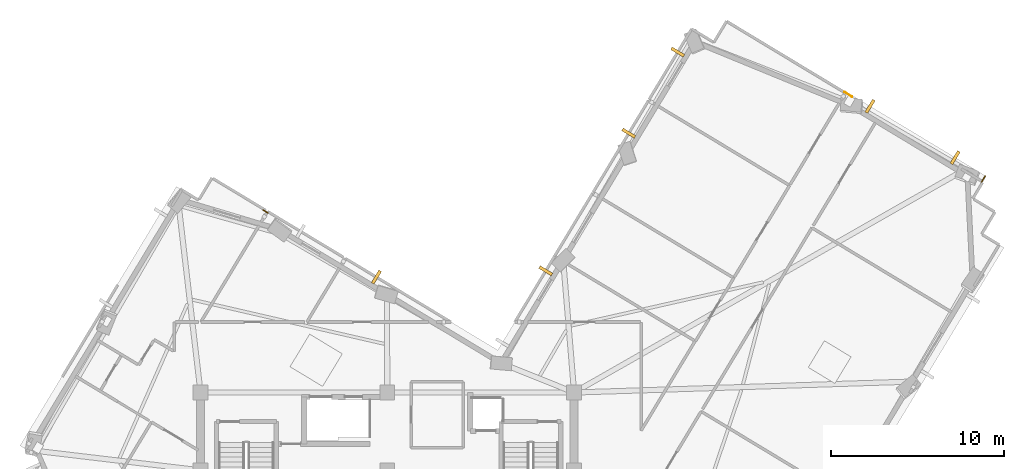
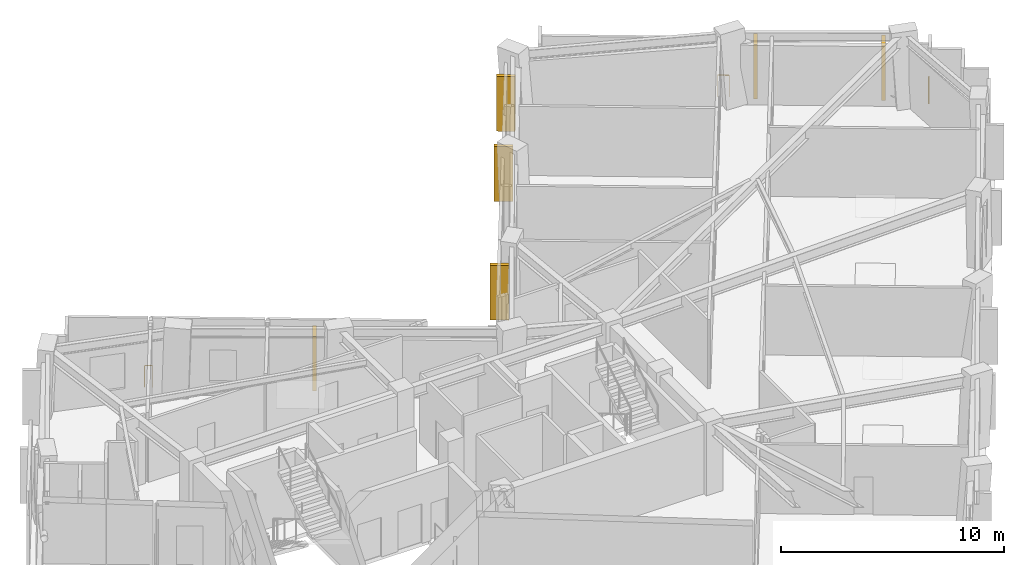
# One storey, part 12 of 12: 6 shading devices, 3 railings.
"""IFC4 building model written with IfcOpenShell, lengths in metres."""

from ifc_helpers import new_model, si_unit, direction, frame, origin, origin_2d, place, context, subcontext, project, spatial, rectangle, circle, extrude, material, layer, layer_set, type_object, element, save


model = new_model("IFC4")

# Units and contexts
model_context = context("Model", 3, precision=1e-05, world=origin(), true_north=direction((0.0, 1.0)))
body_context = subcontext(model_context, "Body", "Model", "MODEL_VIEW")
ifc_project = project(units=[si_unit("LENGTHUNIT", "METRE"), si_unit("AREAUNIT", "SQUARE_METRE"), si_unit("VOLUMEUNIT", "CUBIC_METRE"), si_unit("PLANEANGLEUNIT", "RADIAN"), si_unit("MASSUNIT", "GRAM", prefix="KILO")], contexts=[model_context])

# Site, building, storey
site_placement = place(None, origin())
site = spatial("IfcSite", under=ifc_project, at=site_placement, CompositionType="ELEMENT")
building_placement = place(site_placement, origin())
building = spatial("IfcBuilding", under=site, at=building_placement, Name="Gaonmaruhae Medical Tower", CompositionType="ELEMENT")
storey_placement = place(building_placement, frame((0.0, 0.0, 276.60009765625)))
storey = spatial("IfcBuildingStorey", under=building, at=storey_placement, Name="L66", CompositionType="ELEMENT", Elevation=276.60009765625)

# Railings
ifc_material_1 = material(Name="Stainless steel 316L and laminated safety glass", Category="steel")
ifc_layer = layer(ifc_material_1, 0.080078125)
ifc_layer_set = layer_set([ifc_layer], Name="Stainless steel 316L and laminated safety glass")
railing_type = type_object("IfcRailingType", Name="GD-120 Outdoor Terrace Safety Glass & Steel Balustrade", PredefinedType="BALUSTRADE", material=ifc_layer_set)
railing_1_placement = place(storey_placement, frame((17.615478515625, 27.353515625, 0.0)))
element("IfcRailing", 1, at=railing_1_placement, inside=storey, type_object=railing_type, Name="L66 Perimeter Slab Edge Safety Balustrade 01", PredefinedType="BALUSTRADE", context=body_context, shape_type="SweptSolid", body=[
    extrude(circle(Radius=0.02392578125, at=origin_2d()), frame((0.0, 0.0, 1.17578125), z_axis=(0.856473454082, -0.516191071652, 0.0), x_axis=(0.516191071652, 0.856473454082, 0.0)), (0.0, 0.0, 1.0), 0.338623046875),
    extrude(circle(Radius=0.02099609375, at=origin_2d()), origin(), (0.0, 0.0, 1.0), 1.15185546875),
    extrude(circle(Radius=0.02099609375, at=origin_2d()), frame((0.2900390625, -0.1748046875, 0.0)), (0.0, 0.0, 1.0), 1.15185546875),
])
railing_2_placement = place(storey_placement, frame((51.22998046875, 34.17041015625, 0.0)))
element("IfcRailing", 2, at=railing_2_placement, inside=storey, type_object=railing_type, Name="L66 Perimeter Slab Edge Safety Balustrade 02", PredefinedType="BALUSTRADE", context=body_context, shape_type="SweptSolid", body=[
    extrude(circle(Radius=0.02392578125, at=origin_2d()), frame((0.0, 0.0, 1.17578125), z_axis=(0.856198466453, -0.51664706139, 0.0), x_axis=(0.51664706139, 0.856198466453, 0.0)), (0.0, 0.0, 1.0), 0.516845703125),
    extrude(circle(Radius=0.02099609375, at=origin_2d()), origin(), (0.0, 0.0, 1.0), 1.15185546875),
    extrude(circle(Radius=0.02099609375, at=origin_2d()), frame((0.442626953125, -0.26708984375, 0.0)), (0.0, 0.0, 1.0), 1.15185546875),
])
railing_3_placement = place(storey_placement, frame((59.3681640625, 29.3193359375, 0.0)))
element("IfcRailing", 3, at=railing_3_placement, inside=storey, type_object=railing_type, Name="L66 Perimeter Slab Edge Safety Balustrade 03", PredefinedType="BALUSTRADE", context=body_context, shape_type="SweptSolid", body=[
    extrude(circle(Radius=0.02392578125, at=origin_2d()), frame((0.0, 0.0, 1.17578125), z_axis=(-0.516594337825, -0.856230278679, 0.0), x_axis=(0.856230278679, -0.516594337825, 0.0)), (0.0, 0.0, 1.0), 0.393310546875),
    extrude(circle(Radius=0.02099609375, at=origin_2d()), origin(), (0.0, 0.0, 1.0), 1.15185546875),
    extrude(circle(Radius=0.02099609375, at=origin_2d()), frame((-0.203125, -0.336669921875, 0.0)), (0.0, 0.0, 1.0), 1.15185546875),
])

# Shading devices
ifc_material_2 = material(Name="Pigmented coral precast concrete C45/55", Category="concrete")
shading_device_type = type_object("IfcShadingDeviceType", Name="SD-FIN1 Tower Vertical Coral Precast Shading Fin", PredefinedType="USERDEFINED", material=ifc_material_2)
for number, where, z_axis, x_axis, name in (
    (4, (52.712890625, 33.351806640625, 0.13232421875), (0.0, 0.0, 1.0), (0.8562670846, -0.516533328867, 0.0), "L66 Vertical Coral Precast Shading Fin E01"),
    (5, (57.633056640625, 30.383544921875, 0.13232421875), (0.0, 0.0, 1.0), (0.8562670846, -0.516533328867, 0.0), "L66 Vertical Coral Precast Shading Fin E01B"),
    (6, (38.759033203125, 31.793701171875, 0.13232421875), (0.0, 0.0, 1.0), (0.516533328867, 0.8562670846, 0.0), "L66 Vertical Coral Precast Shading Fin E03"),
    (7, (41.589599609375, 36.48583984375, 0.13232421875), (0.0, 0.0, 1.0), (0.516533328867, 0.8562670846, 0.0), "L66 Vertical Coral Precast Shading Fin E03B"),
    (8, (33.960693359375, 23.83935546875, 0.13232421875), (0.0, 0.0, 1.0), (0.516533328867, 0.8562670846, 0.0), "L66 Vertical Coral Precast Shading Fin EN02B"),
    (9, (24.1708984375, 23.474853515625, 0.13232421875), (0.0, 0.0, 1.0), (0.8562670846, -0.516533328867, 0.0), "L66 Vertical Coral Precast Shading Fin NE01B"),
):
    element("IfcShadingDevice", number, at=place(storey_placement, frame(where, z_axis=z_axis, x_axis=x_axis)), inside=storey, type_object=shading_device_type, Name=name, ObjectType="FIN", PredefinedType="USERDEFINED", context=body_context, shape_type="SweptSolid", body=[
        extrude(rectangle(XDim=0.179931640625, YDim=0.85009765625, at=origin_2d()), origin(), (0.0, 0.0, 1.0), 3.0),
    ])

save(model, "model.ifc")
